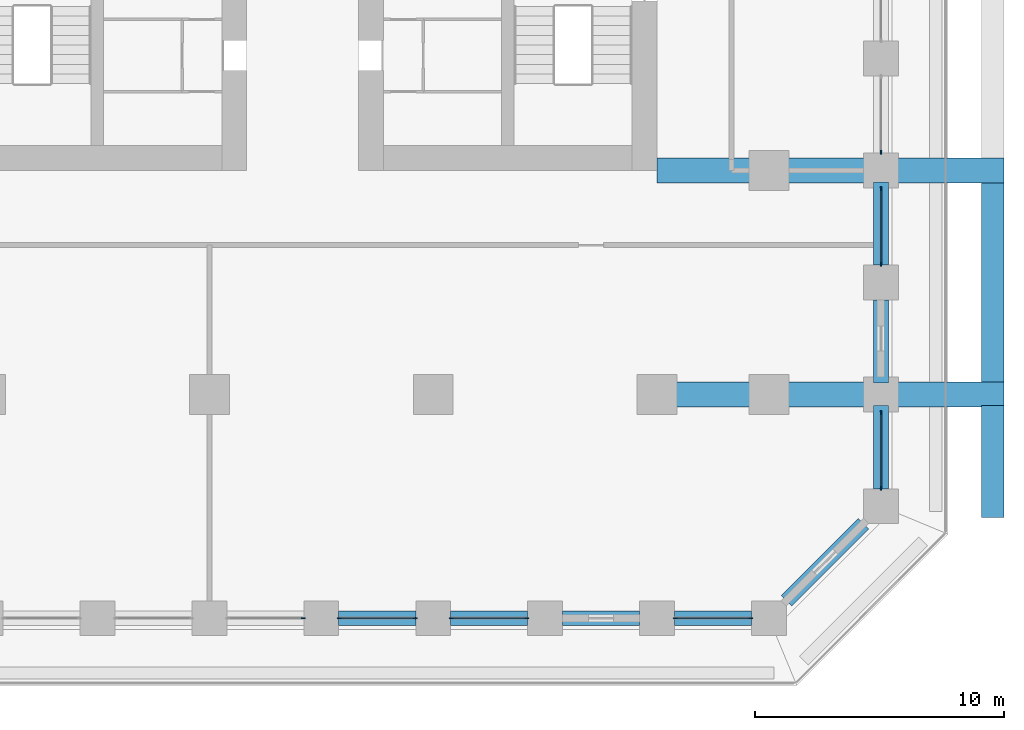
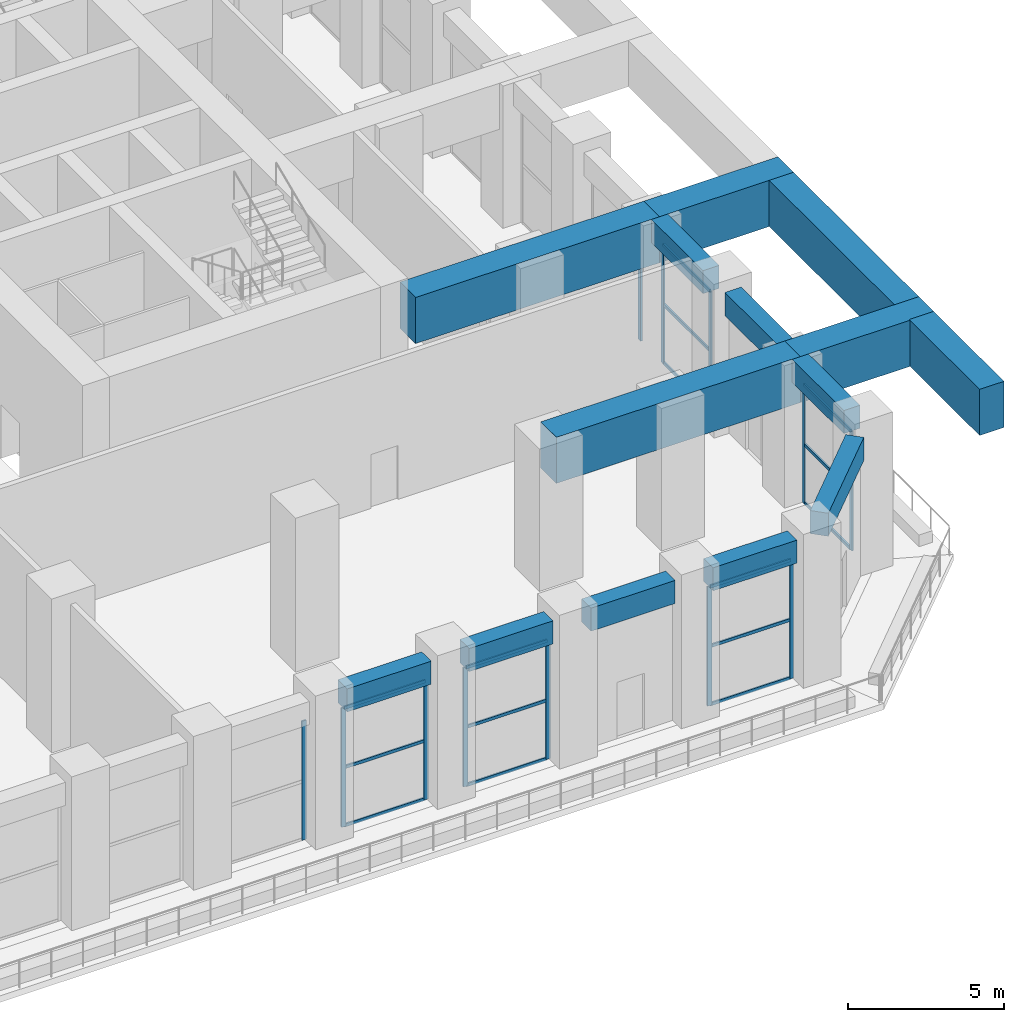
# One storey, part 4 of 21: 27 members, 14 beams, 7 elements without a shape of their own.
"""IFC4 building model written with IfcOpenShell, lengths in metres."""

import ifcopenshell
import ifcopenshell.guid

model = None  # the IFC model being written
_history = None  # IfcOwnerHistory: only IFC2X3 demands one
_inside = {}  # id of a spatial element -> (the spatial element, [elements in it])
_under = {}  # id of a project, library or spatial element -> (it, [spatial elements below it])
_declared = {}  # id of a project -> (the project, [libraries it declares])
_typed = {}  # id of a type object -> (the type object, [elements of that type])
_made_of = {}  # id of a material, layer set ... -> (it, [elements and type objects made of it])


def new_model(schema):
    """Start an empty IFC model of exactly this schema.

    Asked for "IFC4X3", IfcOpenShell would pick the latest addendum, in which some entities
    have other attributes; the version numbers below select the first issue.
    IFC2X3 requires an IfcOwnerHistory on every rooted entity: one is made here for all.
    """
    global model, _history
    if schema == "IFC4X3":
        model = ifcopenshell.file(schema_version=(4, 3, 0, 0))
    else:
        model = ifcopenshell.file(schema=schema)
    _inside.clear()
    _under.clear()
    _declared.clear()
    _typed.clear()
    _made_of.clear()
    _history = None
    if model.schema == "IFC2X3":
        org = make("IfcOrganization", Name="unknown")
        user = make(
            "IfcPersonAndOrganization",
            ThePerson=make("IfcPerson", FamilyName="unknown"),
            TheOrganization=org,
        )
        app = make(
            "IfcApplication",
            ApplicationDeveloper=org,
            Version="unknown",
            ApplicationFullName="unknown",
            ApplicationIdentifier="unknown",
        )
        _history = make(
            "IfcOwnerHistory",
            OwningUser=user,
            OwningApplication=app,
            ChangeAction="ADDED",
            CreationDate=0,
        )
    return model


def make(cls, **values):
    """One entity of the class cls with the attributes given. An attribute that is None is left unset."""
    return model.create_entity(
        cls, **{name: value for name, value in values.items() if value is not None}
    )


def rooted(cls, **values):
    """An entity with a GlobalId (a new one), such as an element, a storey or a relation."""
    return make(cls, GlobalId=ifcopenshell.guid.new(), OwnerHistory=_history, **values)


def si_unit(unit_type, name, prefix=None):
    """IfcSIUnit, for example si_unit("LENGTHUNIT", "METRE", prefix="MILLI")."""
    return make("IfcSIUnit", UnitType=unit_type, Prefix=prefix, Name=name)


def assignment(units):
    """IfcUnitAssignment: the units of a project."""
    return None if units is None else make("IfcUnitAssignment", Units=units)


def point(xyz):
    """IfcCartesianPoint."""
    return None if xyz is None else make("IfcCartesianPoint", Coordinates=xyz)


def direction(xyz):
    """IfcDirection."""
    return None if xyz is None else make("IfcDirection", DirectionRatios=xyz)


def frame(location, z_axis=None, x_axis=None):
    """IfcAxis2Placement3D, a coordinate frame: its origin and axes. An axis left out is left unset."""
    return make(
        "IfcAxis2Placement3D",
        Location=point(location),
        Axis=direction(z_axis),
        RefDirection=direction(x_axis),
    )


def frame_2d(location, x_axis=None):
    """IfcAxis2Placement2D, a coordinate frame in the plane: its origin and x axis."""
    return make(
        "IfcAxis2Placement2D", Location=point(location), RefDirection=direction(x_axis)
    )


def origin():
    """The frame at (0, 0, 0) with its axes left unset."""
    return frame((0.0, 0.0, 0.0))


def origin_2d():
    """The frame at (0, 0) in the plane with its x axis left unset."""
    return frame_2d((0.0, 0.0))


def place(relative_to, where):
    """IfcLocalPlacement: puts the frame where relative to a parent placement (None: the world)."""
    return make(
        "IfcLocalPlacement", PlacementRelTo=relative_to, RelativePlacement=where
    )


def context(
    kind, dimensions, precision=None, world=None, true_north=None, identifier=None
):
    """IfcGeometricRepresentationContext, for example the 3D "Model" context."""
    return make(
        "IfcGeometricRepresentationContext",
        ContextIdentifier=identifier,
        ContextType=kind,
        CoordinateSpaceDimension=dimensions,
        Precision=precision,
        WorldCoordinateSystem=world,
        TrueNorth=true_north,
    )


def subcontext(parent, identifier, kind, view, scale=None):
    """IfcGeometricRepresentationSubContext, for example "Body" below "Model"."""
    return make(
        "IfcGeometricRepresentationSubContext",
        ContextIdentifier=identifier,
        ContextType=kind,
        ParentContext=parent,
        TargetScale=scale,
        TargetView=view,
    )


def project(units=None, contexts=None):
    """IfcProject with its units and contexts."""
    return rooted(
        "IfcProject",
        Name="project",
        RepresentationContexts=contexts,
        UnitsInContext=assignment(units),
    )


def spatial(cls, under=None, at=None, **own):
    """A site, building, storey or space (cls), placed at a placement, below another one or the project."""
    s = rooted(cls, ObjectPlacement=at, **own)
    if under is not None:
        _under.setdefault(under.id(), (under, []))[1].append(s)
    return s


def profile(cls, at=None, kind="AREA", **sizes):
    """A parametric profile (cls). Its sizes go by their IFC names, for example OverallWidth=200.0."""
    return make(cls, ProfileType=kind, Position=at, **sizes)


def rectangle(**sizes):
    """IfcRectangleProfileDef."""
    return profile("IfcRectangleProfileDef", **sizes)


def extrude(swept, where, along, depth):
    """IfcExtrudedAreaSolid: the profile swept, set in the frame where, extruded along a direction by depth."""
    return make(
        "IfcExtrudedAreaSolid",
        SweptArea=swept,
        Position=where,
        ExtrudedDirection=direction(along),
        Depth=depth,
    )


def shape(context_of_items, identifier, shape_type, items):
    """IfcShapeRepresentation: the items that make up one representation, for example the "Body"."""
    return make(
        "IfcShapeRepresentation",
        ContextOfItems=context_of_items,
        RepresentationIdentifier=identifier,
        RepresentationType=shape_type,
        Items=items,
    )


def material(Name=None, Category=None):
    """IfcMaterial."""
    return make("IfcMaterial", Name=Name, Category=Category)


def material_profile(
    of_material, cross_section, Name=None, Category=None, Priority=None
):
    """IfcMaterialProfile: a cross section and its material."""
    return make(
        "IfcMaterialProfile",
        Name=Name,
        Material=of_material,
        Profile=cross_section,
        Priority=Priority,
        Category=Category,
    )


def profile_set(profiles, Name=None, composite=None):
    """IfcMaterialProfileSet."""
    return make(
        "IfcMaterialProfileSet",
        Name=Name,
        MaterialProfiles=profiles,
        CompositeProfile=composite,
    )


def made_of(thing, what):
    """Note that an element or type object is made of a material, layer set ...; save() writes the relation."""
    if what is not None:
        _made_of.setdefault(what.id(), (what, []))[1].append(thing)
    return thing


def type_object(cls, material=None, **own):
    """A type object (cls), such as IfcWallType, which elements share."""
    return made_of(rooted(cls, **own), material)


def element(
    cls,
    number,
    at=None,
    inside=None,
    cuts=None,
    type_object=None,
    material=None,
    context=None,
    identifier="Body",
    shape_type=None,
    held_by="IfcProductDefinitionShape",
    body=None,
    shapes=None,
    **own,
):
    """One element of the class cls, such as IfcWall. Its Tag is "e" and its number.

    at: its placement. inside: the storey or other place that contains it. cuts: it is an
    opening in that element (IfcRelVoidsElement). A single representation is given by context,
    identifier, shape_type and body (its items); several are given by shapes. held_by: the class
    of the entity that holds the representations. save() writes the other relations.
    """
    e = rooted(cls, Tag="e%d" % number, ObjectPlacement=at, **own)
    if body is not None:
        shapes = [shape(context, identifier, shape_type, body)]
    if shapes is not None:
        e.Representation = make(held_by, Representations=shapes)
    if inside is not None:
        _inside.setdefault(inside.id(), (inside, []))[1].append(e)
    if cuts is not None:
        rooted(
            "IfcRelVoidsElement", RelatingBuildingElement=cuts, RelatedOpeningElement=e
        )
    if type_object is not None:
        _typed.setdefault(type_object.id(), (type_object, []))[1].append(e)
    return made_of(e, material)


def aggregate(whole, parts):
    """IfcRelAggregates: a whole, such as a stair, and the parts it consists of."""
    return rooted("IfcRelAggregates", RelatingObject=whole, RelatedObjects=parts)


def save(model, path):
    """Write the relations noted so far, then the file.

    IfcRelAggregates (storeys below a building ...), IfcRelContainedInSpatialStructure (elements
    in a storey), IfcRelDefinesByType, IfcRelAssociatesMaterial and IfcRelDeclares: one each for
    every whole, place, type object, material and project.
    """
    for whole, parts in _under.values():
        aggregate(whole, parts)
    for where, things in _inside.values():
        rooted(
            "IfcRelContainedInSpatialStructure",
            RelatedElements=things,
            RelatingStructure=where,
        )
    for kind, things in _typed.values():
        rooted("IfcRelDefinesByType", RelatedObjects=things, RelatingType=kind)
    for what, things in _made_of.values():
        rooted("IfcRelAssociatesMaterial", RelatedObjects=things, RelatingMaterial=what)
    for by, libraries in _declared.values():
        rooted("IfcRelDeclares", RelatingContext=by, RelatedDefinitions=libraries)
    model.write(path)


model = new_model("IFC4")

# Units and contexts
model_context = context("Model", 3, precision=1e-05, world=origin(), true_north=direction((0.0, 1.0)))
body_context = subcontext(model_context, "Body", "Model", "MODEL_VIEW")
ifc_project = project(units=[si_unit("LENGTHUNIT", "METRE"), si_unit("AREAUNIT", "SQUARE_METRE"), si_unit("VOLUMEUNIT", "CUBIC_METRE"), si_unit("PLANEANGLEUNIT", "RADIAN"), si_unit("MASSUNIT", "GRAM", prefix="KILO")], contexts=[model_context])

# Site, building, storey
site_placement = place(None, origin())
site = spatial("IfcSite", under=ifc_project, at=site_placement, CompositionType="ELEMENT")
building_placement = place(site_placement, origin())
building = spatial("IfcBuilding", under=site, at=building_placement, Name="Corbel Stack Research Tower", CompositionType="ELEMENT")
storey_placement = place(building_placement, frame((0.0, 0.0, 35.89990234375)))
storey = spatial("IfcBuildingStorey", under=building, at=storey_placement, Name="L08", CompositionType="ELEMENT", Elevation=35.89990234375)

# Curtain wall, member
ifc_material_1 = material(Name="Aluminium frame, clear glass", Category="aluminium")
curtain_wall_type = type_object("IfcCurtainWallType", Name="Amenity floor curtain wall CW2", PredefinedType="NOTDEFINED", material=ifc_material_1)
curtain_wall_1_placement = place(storey_placement, origin())
curtain_wall_1 = element("IfcCurtainWall", 1, at=curtain_wall_1_placement, inside=storey, type_object=curtain_wall_type, Name="Curtain wall CW2 L08 S06", PredefinedType="NOTDEFINED")
ifc_material_2 = material(Name="Aluminium mullion", Category="aluminium")
ifc_material_profile_1 = material_profile(ifc_material_2, rectangle(XDim=0.06005859375, YDim=0.159912109375, at=origin_2d()), Name="Mullion 60 x 160")
ifc_profile_set_1 = profile_set([ifc_material_profile_1], Name="Aluminium mullion")
member_type_1 = type_object("IfcMemberType", Name="Curtain wall mullion 60 x 160", PredefinedType="MULLION", material=ifc_profile_set_1)
member_1_placement = place(storey_placement, frame((3.77001953125, -27.0, 0.0), z_axis=(0.0, 0.0, 1.0), x_axis=(0.0, 1.0, 0.0)))
member_1 = element("IfcMember", 2, at=member_1_placement, type_object=member_type_1, Name="CW2 L08 S06 mullion 2", PredefinedType="MULLION", context=body_context, shape_type="SweptSolid", body=[
    extrude(rectangle(XDim=0.06005859375, YDim=0.159912109375, at=origin_2d()), origin(), (0.0, 0.0, 1.0), 4.650146484375),
])
aggregate(curtain_wall_1, [member_1])

# Curtain wall, members
curtain_wall_2_placement = place(storey_placement, origin())
curtain_wall_2 = element("IfcCurtainWall", 3, at=curtain_wall_2_placement, inside=storey, type_object=curtain_wall_type, Name="Curtain wall CW2 L08 S07", PredefinedType="NOTDEFINED")
member_2_placement = place(storey_placement, frame((5.22998046875, -27.0, 0.0), z_axis=(0.0, 0.0, 1.0), x_axis=(0.0, 1.0, 0.0)))
member_2 = element("IfcMember", 4, at=member_2_placement, type_object=member_type_1, Name="CW2 L08 S07 mullion 1", PredefinedType="MULLION", context=body_context, shape_type="SweptSolid", body=[
    extrude(rectangle(XDim=0.06005859375, YDim=0.159912109375, at=origin_2d()), origin(), (0.0, 0.0, 1.0), 4.650146484375),
])
member_3_placement = place(storey_placement, frame((8.27001953125, -27.0, 0.0), z_axis=(0.0, 0.0, 1.0), x_axis=(0.0, 1.0, 0.0)))
member_3 = element("IfcMember", 5, at=member_3_placement, type_object=member_type_1, Name="CW2 L08 S07 mullion 2", PredefinedType="MULLION", context=body_context, shape_type="SweptSolid", body=[
    extrude(rectangle(XDim=0.06005859375, YDim=0.159912109375, at=origin_2d()), origin(), (0.0, 0.0, 1.0), 4.650146484375),
])

curtain_wall_3_placement = place(storey_placement, origin())
curtain_wall_3 = element("IfcCurtainWall", 6, at=curtain_wall_3_placement, inside=storey, type_object=curtain_wall_type, Name="Curtain wall CW2 L08 S08", PredefinedType="NOTDEFINED")
member_4_placement = place(storey_placement, frame((9.72998046875, -27.0, 0.0), z_axis=(0.0, 0.0, 1.0), x_axis=(0.0, 1.0, 0.0)))
member_4 = element("IfcMember", 7, at=member_4_placement, type_object=member_type_1, Name="CW2 L08 S08 mullion 1", PredefinedType="MULLION", context=body_context, shape_type="SweptSolid", body=[
    extrude(rectangle(XDim=0.06005859375, YDim=0.159912109375, at=origin_2d()), origin(), (0.0, 0.0, 1.0), 4.650146484375),
])
member_5_placement = place(storey_placement, frame((12.77001953125, -27.0, 0.0), z_axis=(0.0, 0.0, 1.0), x_axis=(0.0, 1.0, 0.0)))
member_5 = element("IfcMember", 8, at=member_5_placement, type_object=member_type_1, Name="CW2 L08 S08 mullion 2", PredefinedType="MULLION", context=body_context, shape_type="SweptSolid", body=[
    extrude(rectangle(XDim=0.06005859375, YDim=0.159912109375, at=origin_2d()), origin(), (0.0, 0.0, 1.0), 4.650146484375),
])

curtain_wall_4_placement = place(storey_placement, origin())
curtain_wall_4 = element("IfcCurtainWall", 9, at=curtain_wall_4_placement, inside=storey, type_object=curtain_wall_type, Name="Curtain wall CW2 L08 S10", PredefinedType="NOTDEFINED")
member_6_placement = place(storey_placement, frame((18.72998046875, -27.0, 0.0), z_axis=(0.0, 0.0, 1.0), x_axis=(0.0, 1.0, 0.0)))
member_6 = element("IfcMember", 10, at=member_6_placement, type_object=member_type_1, Name="CW2 L08 S10 mullion 1", PredefinedType="MULLION", context=body_context, shape_type="SweptSolid", body=[
    extrude(rectangle(XDim=0.06005859375, YDim=0.159912109375, at=origin_2d()), origin(), (0.0, 0.0, 1.0), 4.650146484375),
])
member_7_placement = place(storey_placement, frame((21.77001953125, -27.0, 0.0), z_axis=(0.0, 0.0, 1.0), x_axis=(0.0, 1.0, 0.0)))
member_7 = element("IfcMember", 11, at=member_7_placement, type_object=member_type_1, Name="CW2 L08 S10 mullion 2", PredefinedType="MULLION", context=body_context, shape_type="SweptSolid", body=[
    extrude(rectangle(XDim=0.06005859375, YDim=0.159912109375, at=origin_2d()), origin(), (0.0, 0.0, 1.0), 4.650146484375),
])

curtain_wall_5_placement = place(storey_placement, origin())
curtain_wall_5 = element("IfcCurtainWall", 12, at=curtain_wall_5_placement, inside=storey, type_object=curtain_wall_type, Name="Curtain wall CW2 L08 E01", PredefinedType="NOTDEFINED")
member_8_placement = place(storey_placement, frame((27.0, -21.77001953125, 0.0), z_axis=(0.0, 0.0, 1.0), x_axis=(-1.0, 0.0, 0.0)))
member_8 = element("IfcMember", 13, at=member_8_placement, type_object=member_type_1, Name="CW2 L08 E01 mullion 1", PredefinedType="MULLION", context=body_context, shape_type="SweptSolid", body=[
    extrude(rectangle(XDim=0.06005859375, YDim=0.159912109375, at=origin_2d()), origin(), (0.0, 0.0, 1.0), 4.650146484375),
])
member_9_placement = place(storey_placement, frame((27.0, -18.72998046875, 0.0), z_axis=(0.0, 0.0, 1.0), x_axis=(-1.0, 0.0, 0.0)))
member_9 = element("IfcMember", 14, at=member_9_placement, type_object=member_type_1, Name="CW2 L08 E01 mullion 2", PredefinedType="MULLION", context=body_context, shape_type="SweptSolid", body=[
    extrude(rectangle(XDim=0.06005859375, YDim=0.159912109375, at=origin_2d()), origin(), (0.0, 0.0, 1.0), 4.650146484375),
])

curtain_wall_6_placement = place(storey_placement, origin())
curtain_wall_6 = element("IfcCurtainWall", 15, at=curtain_wall_6_placement, inside=storey, type_object=curtain_wall_type, Name="Curtain wall CW2 L08 E03", PredefinedType="NOTDEFINED")
member_10_placement = place(storey_placement, frame((27.0, -12.77001953125, 0.0), z_axis=(0.0, 0.0, 1.0), x_axis=(-1.0, 0.0, 0.0)))
member_10 = element("IfcMember", 16, at=member_10_placement, type_object=member_type_1, Name="CW2 L08 E03 mullion 1", PredefinedType="MULLION", context=body_context, shape_type="SweptSolid", body=[
    extrude(rectangle(XDim=0.06005859375, YDim=0.159912109375, at=origin_2d()), origin(), (0.0, 0.0, 1.0), 4.650146484375),
])
member_11_placement = place(storey_placement, frame((27.0, -9.72998046875, 0.0), z_axis=(0.0, 0.0, 1.0), x_axis=(-1.0, 0.0, 0.0)))
member_11 = element("IfcMember", 17, at=member_11_placement, type_object=member_type_1, Name="CW2 L08 E03 mullion 2", PredefinedType="MULLION", context=body_context, shape_type="SweptSolid", body=[
    extrude(rectangle(XDim=0.06005859375, YDim=0.159912109375, at=origin_2d()), origin(), (0.0, 0.0, 1.0), 4.650146484375),
])

# Curtain wall, member
curtain_wall_7_placement = place(storey_placement, origin())
curtain_wall_7 = element("IfcCurtainWall", 18, at=curtain_wall_7_placement, inside=storey, type_object=curtain_wall_type, Name="Curtain wall CW2 L08 E04", PredefinedType="NOTDEFINED")
member_12_placement = place(storey_placement, frame((27.0, -8.27001953125, 0.0), z_axis=(0.0, 0.0, 1.0), x_axis=(-1.0, 0.0, 0.0)))
member_12 = element("IfcMember", 19, at=member_12_placement, type_object=member_type_1, Name="CW2 L08 E04 mullion 1", PredefinedType="MULLION", context=body_context, shape_type="SweptSolid", body=[
    extrude(rectangle(XDim=0.06005859375, YDim=0.159912109375, at=origin_2d()), origin(), (0.0, 0.0, 1.0), 4.650146484375),
])
aggregate(curtain_wall_7, [member_12])

# Member
ifc_material_3 = material(Name="Aluminium transom", Category="aluminium")
ifc_material_profile_2 = material_profile(ifc_material_3, rectangle(XDim=0.06005859375, YDim=0.1201171875, at=origin_2d()), Name="Transom 60 x 120")
ifc_profile_set_2 = profile_set([ifc_material_profile_2], Name="Aluminium transom")
member_type_2 = type_object("IfcMemberType", Name="Curtain wall transom 60 x 120", PredefinedType="USERDEFINED", material=ifc_profile_set_2)
member_13_placement = place(storey_placement, frame((5.260009765625, -27.0, 0.030029296875), z_axis=(1.0, 0.0, 0.0), x_axis=(0.0, 1.0, 0.0)))
member_13 = element("IfcMember", 20, at=member_13_placement, type_object=member_type_2, Name="CW2 L08 S07 transom 1.1", ObjectType="TRANSOM", PredefinedType="USERDEFINED", context=body_context, shape_type="SweptSolid", body=[
    extrude(rectangle(XDim=0.06005859375, YDim=0.1201171875, at=origin_2d()), origin(), (0.0, 0.0, 1.0), 2.97998046875),
])

member_14_placement = place(storey_placement, frame((5.260009765625, -27.0, 2.300048828125), z_axis=(1.0, 0.0, 0.0), x_axis=(0.0, 1.0, 0.0)))
member_14 = element("IfcMember", 21, at=member_14_placement, type_object=member_type_2, Name="CW2 L08 S07 transom 1.2", ObjectType="TRANSOM", PredefinedType="USERDEFINED", context=body_context, shape_type="SweptSolid", body=[
    extrude(rectangle(XDim=0.06005859375, YDim=0.1201171875, at=origin_2d()), origin(), (0.0, 0.0, 1.0), 2.97998046875),
])

member_15_placement = place(storey_placement, frame((5.260009765625, -27.0, 4.6201171875), z_axis=(1.0, 0.0, 0.0), x_axis=(0.0, 1.0, 0.0)))
member_15 = element("IfcMember", 22, at=member_15_placement, type_object=member_type_2, Name="CW2 L08 S07 transom 1.3", ObjectType="TRANSOM", PredefinedType="USERDEFINED", context=body_context, shape_type="SweptSolid", body=[
    extrude(rectangle(XDim=0.06005859375, YDim=0.1201171875, at=origin_2d()), origin(), (0.0, 0.0, 1.0), 2.97998046875),
])

aggregate(curtain_wall_2, [member_2, member_3, member_13, member_14, member_15])

member_16_placement = place(storey_placement, frame((9.760009765625, -27.0, 0.030029296875), z_axis=(1.0, 0.0, 0.0), x_axis=(0.0, 1.0, 0.0)))
member_16 = element("IfcMember", 23, at=member_16_placement, type_object=member_type_2, Name="CW2 L08 S08 transom 1.1", ObjectType="TRANSOM", PredefinedType="USERDEFINED", context=body_context, shape_type="SweptSolid", body=[
    extrude(rectangle(XDim=0.06005859375, YDim=0.1201171875, at=origin_2d()), origin(), (0.0, 0.0, 1.0), 2.97998046875),
])

member_17_placement = place(storey_placement, frame((9.760009765625, -27.0, 2.300048828125), z_axis=(1.0, 0.0, 0.0), x_axis=(0.0, 1.0, 0.0)))
member_17 = element("IfcMember", 24, at=member_17_placement, type_object=member_type_2, Name="CW2 L08 S08 transom 1.2", ObjectType="TRANSOM", PredefinedType="USERDEFINED", context=body_context, shape_type="SweptSolid", body=[
    extrude(rectangle(XDim=0.06005859375, YDim=0.1201171875, at=origin_2d()), origin(), (0.0, 0.0, 1.0), 2.97998046875),
])

member_18_placement = place(storey_placement, frame((9.760009765625, -27.0, 4.6201171875), z_axis=(1.0, 0.0, 0.0), x_axis=(0.0, 1.0, 0.0)))
member_18 = element("IfcMember", 25, at=member_18_placement, type_object=member_type_2, Name="CW2 L08 S08 transom 1.3", ObjectType="TRANSOM", PredefinedType="USERDEFINED", context=body_context, shape_type="SweptSolid", body=[
    extrude(rectangle(XDim=0.06005859375, YDim=0.1201171875, at=origin_2d()), origin(), (0.0, 0.0, 1.0), 2.97998046875),
])

aggregate(curtain_wall_3, [member_4, member_5, member_16, member_17, member_18])

member_19_placement = place(storey_placement, frame((18.760009765625, -27.0, 0.030029296875), z_axis=(1.0, 0.0, 0.0), x_axis=(0.0, 1.0, 0.0)))
member_19 = element("IfcMember", 26, at=member_19_placement, type_object=member_type_2, Name="CW2 L08 S10 transom 1.1", ObjectType="TRANSOM", PredefinedType="USERDEFINED", context=body_context, shape_type="SweptSolid", body=[
    extrude(rectangle(XDim=0.06005859375, YDim=0.1201171875, at=origin_2d()), origin(), (0.0, 0.0, 1.0), 2.97998046875),
])

member_20_placement = place(storey_placement, frame((18.760009765625, -27.0, 2.300048828125), z_axis=(1.0, 0.0, 0.0), x_axis=(0.0, 1.0, 0.0)))
member_20 = element("IfcMember", 27, at=member_20_placement, type_object=member_type_2, Name="CW2 L08 S10 transom 1.2", ObjectType="TRANSOM", PredefinedType="USERDEFINED", context=body_context, shape_type="SweptSolid", body=[
    extrude(rectangle(XDim=0.06005859375, YDim=0.1201171875, at=origin_2d()), origin(), (0.0, 0.0, 1.0), 2.97998046875),
])

member_21_placement = place(storey_placement, frame((18.760009765625, -27.0, 4.6201171875), z_axis=(1.0, 0.0, 0.0), x_axis=(0.0, 1.0, 0.0)))
member_21 = element("IfcMember", 28, at=member_21_placement, type_object=member_type_2, Name="CW2 L08 S10 transom 1.3", ObjectType="TRANSOM", PredefinedType="USERDEFINED", context=body_context, shape_type="SweptSolid", body=[
    extrude(rectangle(XDim=0.06005859375, YDim=0.1201171875, at=origin_2d()), origin(), (0.0, 0.0, 1.0), 2.97998046875),
])

aggregate(curtain_wall_4, [member_6, member_7, member_19, member_20, member_21])

member_22_placement = place(storey_placement, frame((27.0, -21.739990234375, 0.030029296875), z_axis=(0.0, 1.0, 0.0), x_axis=(-1.0, 0.0, 0.0)))
member_22 = element("IfcMember", 29, at=member_22_placement, type_object=member_type_2, Name="CW2 L08 E01 transom 1.1", ObjectType="TRANSOM", PredefinedType="USERDEFINED", context=body_context, shape_type="SweptSolid", body=[
    extrude(rectangle(XDim=0.06005859375, YDim=0.1201171875, at=origin_2d()), origin(), (0.0, 0.0, 1.0), 2.97998046875),
])

member_23_placement = place(storey_placement, frame((27.0, -21.739990234375, 2.300048828125), z_axis=(0.0, 1.0, 0.0), x_axis=(-1.0, 0.0, 0.0)))
member_23 = element("IfcMember", 30, at=member_23_placement, type_object=member_type_2, Name="CW2 L08 E01 transom 1.2", ObjectType="TRANSOM", PredefinedType="USERDEFINED", context=body_context, shape_type="SweptSolid", body=[
    extrude(rectangle(XDim=0.06005859375, YDim=0.1201171875, at=origin_2d()), origin(), (0.0, 0.0, 1.0), 2.97998046875),
])

member_24_placement = place(storey_placement, frame((27.0, -21.739990234375, 4.6201171875), z_axis=(0.0, 1.0, 0.0), x_axis=(-1.0, 0.0, 0.0)))
member_24 = element("IfcMember", 31, at=member_24_placement, type_object=member_type_2, Name="CW2 L08 E01 transom 1.3", ObjectType="TRANSOM", PredefinedType="USERDEFINED", context=body_context, shape_type="SweptSolid", body=[
    extrude(rectangle(XDim=0.06005859375, YDim=0.1201171875, at=origin_2d()), origin(), (0.0, 0.0, 1.0), 2.97998046875),
])

aggregate(curtain_wall_5, [member_8, member_9, member_22, member_23, member_24])

member_25_placement = place(storey_placement, frame((27.0, -12.739990234375, 0.030029296875), z_axis=(0.0, 1.0, 0.0), x_axis=(-1.0, 0.0, 0.0)))
member_25 = element("IfcMember", 32, at=member_25_placement, type_object=member_type_2, Name="CW2 L08 E03 transom 1.1", ObjectType="TRANSOM", PredefinedType="USERDEFINED", context=body_context, shape_type="SweptSolid", body=[
    extrude(rectangle(XDim=0.06005859375, YDim=0.1201171875, at=origin_2d()), origin(), (0.0, 0.0, 1.0), 2.97998046875),
])

member_26_placement = place(storey_placement, frame((27.0, -12.739990234375, 2.300048828125), z_axis=(0.0, 1.0, 0.0), x_axis=(-1.0, 0.0, 0.0)))
member_26 = element("IfcMember", 33, at=member_26_placement, type_object=member_type_2, Name="CW2 L08 E03 transom 1.2", ObjectType="TRANSOM", PredefinedType="USERDEFINED", context=body_context, shape_type="SweptSolid", body=[
    extrude(rectangle(XDim=0.06005859375, YDim=0.1201171875, at=origin_2d()), origin(), (0.0, 0.0, 1.0), 2.97998046875),
])

member_27_placement = place(storey_placement, frame((27.0, -12.739990234375, 4.6201171875), z_axis=(0.0, 1.0, 0.0), x_axis=(-1.0, 0.0, 0.0)))
member_27 = element("IfcMember", 34, at=member_27_placement, type_object=member_type_2, Name="CW2 L08 E03 transom 1.3", ObjectType="TRANSOM", PredefinedType="USERDEFINED", context=body_context, shape_type="SweptSolid", body=[
    extrude(rectangle(XDim=0.06005859375, YDim=0.1201171875, at=origin_2d()), origin(), (0.0, 0.0, 1.0), 2.97998046875),
])

aggregate(curtain_wall_6, [member_10, member_11, member_25, member_26, member_27])

# Beams
ifc_material_4 = material(Name="Concrete C60/75", Category="concrete")
ifc_material_profile_3 = material_profile(ifc_material_4, rectangle(XDim=0.60009765625, YDim=0.89990234375, at=origin_2d()), Name="RC 600 x 900")
ifc_profile_set_3 = profile_set([ifc_material_profile_3], Name="Concrete C60/75")
beam_type_1 = type_object("IfcBeamType", Name="SB-600-900-450", PredefinedType="SPANDREL", material=ifc_profile_set_3)
for number, where, z_axis, x_axis, name in (
    (35, (5.199951171875, -27.0, 5.10009765625), (1.0, 0.0, 0.0), (0.0, 1.0, 0.0), "Spandrel beam L08-07"),
    (36, (9.699951171875, -27.0, 5.10009765625), (1.0, 0.0, 0.0), (0.0, 1.0, 0.0), "Spandrel beam L08-08"),
    (37, (14.199951171875, -27.0, 5.10009765625), (1.0, 0.0, 0.0), (0.0, 1.0, 0.0), "Spandrel beam L08-09"),
    (38, (18.699951171875, -27.0, 5.10009765625), (1.0, 0.0, 0.0), (0.0, 1.0, 0.0), "Spandrel beam L08-10"),
):
    element("IfcBeam", number, at=place(storey_placement, frame(where, z_axis=z_axis, x_axis=x_axis)), inside=storey, type_object=beam_type_1, Name=name, PredefinedType="SPANDREL", context=body_context, shape_type="SweptSolid", body=[
        extrude(rectangle(XDim=0.60009765625, YDim=0.89990234375, at=origin_2d()), origin(), (0.0, 0.0, 1.0), 3.10009765625),
    ])
beam_1_placement = place(storey_placement, frame((23.199951171875, -26.300048828125, 5.10009765625), z_axis=(0.707106781187, 0.707106781187, 0.0), x_axis=(-0.707106781187, 0.707106781187, 0.0)))
element("IfcBeam", 39, at=beam_1_placement, inside=storey, type_object=beam_type_1, Name="Spandrel beam L08-11", PredefinedType="SPANDREL", context=body_context, shape_type="SweptSolid", body=[
    extrude(rectangle(XDim=0.60009765625, YDim=0.89990234375, at=origin_2d()), origin(), (0.0, 0.0, 1.0), 4.38427734375),
])
for number, where, z_axis, x_axis, name in (
    (40, (27.0, -21.800048828125, 5.10009765625), (0.0, 1.0, 0.0), (-1.0, 0.0, 0.0), "Spandrel beam L08-12"),
    (41, (27.0, -17.550048828125, 5.10009765625), (0.0, 1.0, 0.0), (-1.0, 0.0, 0.0), "Spandrel beam L08-13"),
    (42, (27.0, -12.800048828125, 5.10009765625), (0.0, 1.0, 0.0), (-1.0, 0.0, 0.0), "Spandrel beam L08-14"),
):
    element("IfcBeam", number, at=place(storey_placement, frame(where, z_axis=z_axis, x_axis=x_axis)), inside=storey, type_object=beam_type_1, Name=name, PredefinedType="SPANDREL", context=body_context, shape_type="SweptSolid", body=[
        extrude(rectangle(XDim=0.60009765625, YDim=0.89990234375, at=origin_2d()), origin(), (0.0, 0.0, 1.0), 3.35009765625),
    ])
ifc_material_5 = material(Name="Concrete C60/75", Category="concrete")
ifc_material_profile_4 = material_profile(ifc_material_5, rectangle(XDim=1.0, YDim=1.800048828125, at=origin_2d()), Name="RC 1000 x 1800")
ifc_profile_set_4 = profile_set([ifc_material_profile_4], Name="Concrete C60/75")
beam_type_2 = type_object("IfcBeamType", Name="TG-1000-1800", PredefinedType="BEAM", material=ifc_profile_set_4)
beam_2_placement = place(storey_placement, frame((31.949951171875, -18.0, 4.650146484375), z_axis=(-1.0, 0.0, 0.0), x_axis=(0.0, -1.0, 0.0)))
element("IfcBeam", 43, at=beam_2_placement, inside=storey, type_object=beam_type_2, Name="Transfer girder L08 E-18c", PredefinedType="BEAM", context=body_context, shape_type="SweptSolid", body=[
    extrude(rectangle(XDim=1.0, YDim=1.800048828125, at=origin_2d()), origin(), (0.0, 0.0, 1.0), 4.949951171875),
])
beam_3_placement = place(storey_placement, frame((27.0, -18.0, 4.650146484375), z_axis=(-1.0, 0.0, 0.0), x_axis=(0.0, -1.0, 0.0)))
element("IfcBeam", 44, at=beam_3_placement, inside=storey, type_object=beam_type_2, Name="Transfer girder L08 E-18b", PredefinedType="BEAM", context=body_context, shape_type="SweptSolid", body=[
    extrude(rectangle(XDim=1.0, YDim=1.800048828125, at=origin_2d()), origin(), (0.0, 0.0, 1.0), 9.0),
])
beam_4_placement = place(storey_placement, frame((31.949951171875, -9.0, 4.650146484375), z_axis=(-1.0, 0.0, 0.0), x_axis=(0.0, -1.0, 0.0)))
element("IfcBeam", 45, at=beam_4_placement, inside=storey, type_object=beam_type_2, Name="Transfer girder L08 E-9c", PredefinedType="BEAM", context=body_context, shape_type="SweptSolid", body=[
    extrude(rectangle(XDim=1.0, YDim=1.800048828125, at=origin_2d()), origin(), (0.0, 0.0, 1.0), 4.949951171875),
])
beam_5_placement = place(storey_placement, frame((27.0, -9.0, 4.650146484375), z_axis=(-1.0, 0.0, 0.0), x_axis=(0.0, -1.0, 0.0)))
element("IfcBeam", 46, at=beam_5_placement, inside=storey, type_object=beam_type_2, Name="Transfer girder L08 E-9b", PredefinedType="BEAM", context=body_context, shape_type="SweptSolid", body=[
    extrude(rectangle(XDim=1.0, YDim=1.800048828125, at=origin_2d()), origin(), (0.0, 0.0, 1.0), 9.0),
])
ifc_material_6 = material(Name="Concrete C60/75", Category="concrete")
ifc_material_profile_5 = material_profile(ifc_material_6, rectangle(XDim=0.89990234375, YDim=1.800048828125, at=origin_2d()), Name="RC 900 x 1800")
ifc_profile_set_5 = profile_set([ifc_material_profile_5], Name="Concrete C60/75")
beam_type_3 = type_object("IfcBeamType", Name="TG-900-1800", PredefinedType="BEAM", material=ifc_profile_set_5)
beam_6_placement = place(storey_placement, frame((31.5, -17.550048828125, 4.650146484375), z_axis=(0.0, 1.0, 0.0), x_axis=(-1.0, 0.0, 0.0)))
element("IfcBeam", 47, at=beam_6_placement, inside=storey, type_object=beam_type_3, Name="Transfer edge beam L08 Ee-18", PredefinedType="BEAM", context=body_context, shape_type="SweptSolid", body=[
    extrude(rectangle(XDim=0.89990234375, YDim=1.800048828125, at=origin_2d()), origin(), (0.0, 0.0, 1.0), 8.10009765625),
])
beam_7_placement = place(storey_placement, frame((31.5, -22.949951171875, 4.650146484375), z_axis=(0.0, 1.0, 0.0), x_axis=(-1.0, 0.0, 0.0)))
element("IfcBeam", 48, at=beam_7_placement, inside=storey, type_object=beam_type_3, Name="Transfer edge beam L08 Eelo", PredefinedType="BEAM", context=body_context, shape_type="SweptSolid", body=[
    extrude(rectangle(XDim=0.89990234375, YDim=1.800048828125, at=origin_2d()), origin(), (0.0, 0.0, 1.0), 4.5),
])

save(model, "model.ifc")
